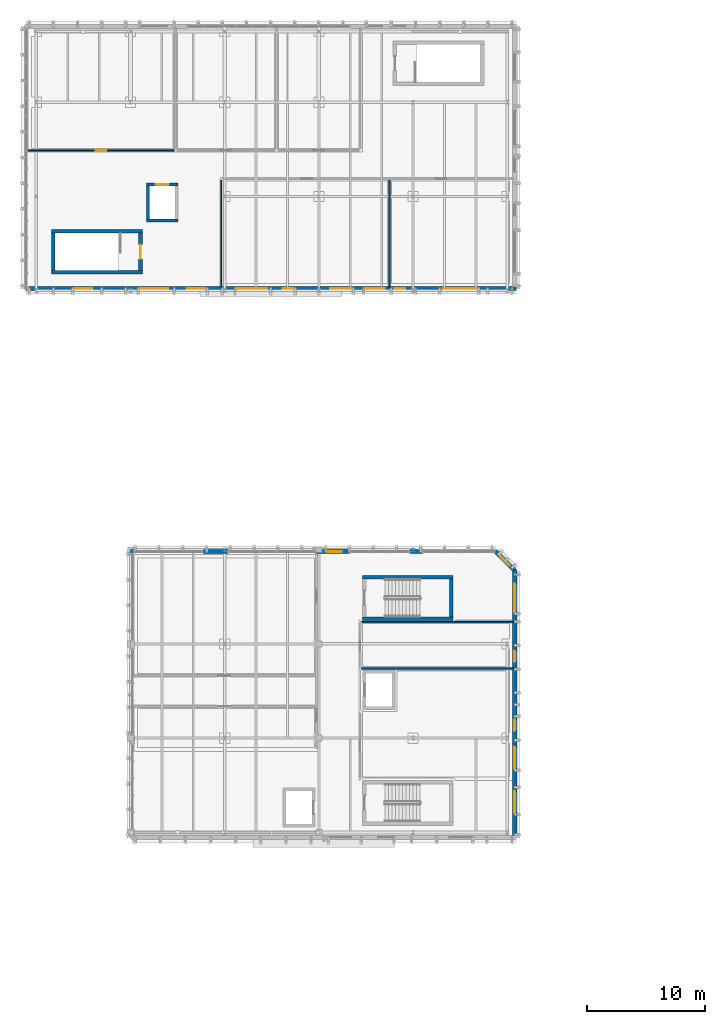
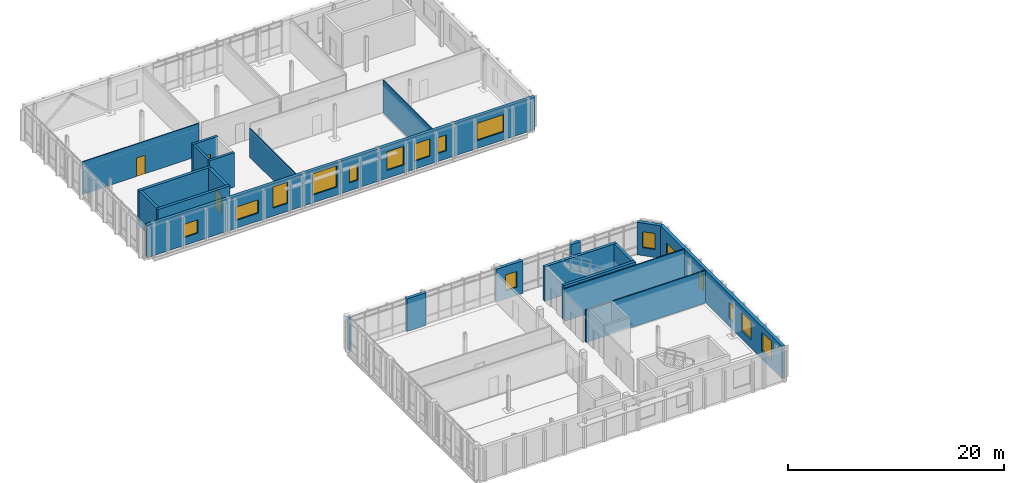
# One storey, part 27 of 40: 22 walls, 16 windows, 3 doors, 19 openings.
"""IFC4 building model written with IfcOpenShell, lengths in metres."""

from ifc_helpers import new_model, si_unit, direction, frame, frame_2d, origin, place, context, subcontext, project, spatial, rectangle, extrude, material, layer, layer_set, type_object, element, fill, save


model = new_model("IFC4")

# Units and contexts
model_context = context("Model", 3, precision=1e-05, world=origin(), true_north=direction((0.0, 1.0)))
body_context = subcontext(model_context, "Body", "Model", "MODEL_VIEW")
ifc_project = project(units=[si_unit("LENGTHUNIT", "METRE"), si_unit("AREAUNIT", "SQUARE_METRE"), si_unit("VOLUMEUNIT", "CUBIC_METRE"), si_unit("PLANEANGLEUNIT", "RADIAN"), si_unit("MASSUNIT", "GRAM", prefix="KILO")], contexts=[model_context])

# Site, building, storey
site_placement = place(None, origin())
site = spatial("IfcSite", under=ifc_project, at=site_placement, CompositionType="ELEMENT")
building_placement = place(site_placement, origin())
building = spatial("IfcBuilding", under=site, at=building_placement, Name="Cymarion Research Institute", CompositionType="ELEMENT")
storey_placement = place(building_placement, frame((0.0, 0.0, 26.699951171875)))
storey = spatial("IfcBuildingStorey", under=building, at=storey_placement, Name="L06", CompositionType="ELEMENT", Elevation=26.699951171875)

# Wall, openings, windows
ifc_material_1 = material(Name="Precast concrete C40/50", Category="concrete")
ifc_layer_1 = layer(ifc_material_1, 0.340087890625)
ifc_layer_set_1 = layer_set([ifc_layer_1], Name="Precast concrete C40/50")
wall_type_1 = type_object("IfcWallType", Name="EXTERIOR WALL EW-PC340 340MM", PredefinedType="SOLIDWALL", material=ifc_layer_set_1)
wall_1_placement = place(storey_placement, frame((47.22998046875, 47.221923828125, 0.0), z_axis=(0.0, 0.0, 1.0), x_axis=(0.0, 1.0, 0.0)))
wall_1 = element("IfcWall", 1, at=wall_1_placement, inside=storey, type_object=wall_type_1, Name="L06 V4 exterior wall EW-PC340 #261", PredefinedType="SOLIDWALL", context=body_context, shape_type="SweptSolid", body=[
    extrude(rectangle(XDim=22.578125, YDim=0.340087890625, at=frame_2d((11.2890625, 0.0))), origin(), (0.0, 0.0, 1.0), 3.679931640625),
])
opening_1_placement = place(wall_1_placement, frame((1.947998046875, 0.0, 0.89990234375)))
opening_1 = element("IfcOpeningElement", 2, at=opening_1_placement, cuts=wall_1, Name="Opening W10", PredefinedType="OPENING", context=body_context, shape_type="SweptSolid", body=[
    extrude(rectangle(XDim=1.800048828125, YDim=2.10009765625, at=frame_2d((0.89990234375, 1.050048828125))), frame((0.0, 0.179931640625, 0.0), z_axis=(0.0, -1.0, 0.0), x_axis=(1.0, 0.0, 0.0)), (0.0, 0.0, 1.0), 0.360107421875),
])
opening_2_placement = place(wall_1_placement, frame((5.7080078125, 0.0, 0.89990234375)))
opening_2 = element("IfcOpeningElement", 3, at=opening_2_placement, cuts=wall_1, Name="Opening W10", PredefinedType="OPENING", context=body_context, shape_type="SweptSolid", body=[
    extrude(rectangle(XDim=1.800048828125, YDim=2.10009765625, at=frame_2d((0.89990234375, 1.050048828125))), frame((0.0, 0.179931640625, 0.0), z_axis=(0.0, -1.0, 0.0), x_axis=(1.0, 0.0, 0.0)), (0.0, 0.0, 1.0), 0.360107421875),
])
opening_3_placement = place(wall_1_placement, frame((8.923095703125, 0.0, 0.89990234375)))
opening_3 = element("IfcOpeningElement", 4, at=opening_3_placement, cuts=wall_1, Name="Opening W24", PredefinedType="OPENING", context=body_context, shape_type="SweptSolid", body=[
    extrude(rectangle(XDim=0.89990234375, YDim=1.800048828125, at=frame_2d((0.449951171875, 0.89990234375))), frame((0.0, 0.179931640625, 0.0), z_axis=(0.0, -1.0, 0.0), x_axis=(1.0, 0.0, 0.0)), (0.0, 0.0, 1.0), 0.360107421875),
])
opening_4_placement = place(wall_1_placement, frame((14.758056640625, 0.0, 0.89990234375)))
opening_4 = element("IfcOpeningElement", 5, at=opening_4_placement, cuts=wall_1, Name="Opening W24", PredefinedType="OPENING", context=body_context, shape_type="SweptSolid", body=[
    extrude(rectangle(XDim=0.89990234375, YDim=1.800048828125, at=frame_2d((0.449951171875, 0.89990234375))), frame((0.0, 0.179931640625, 0.0), z_axis=(0.0, -1.0, 0.0), x_axis=(1.0, 0.0, 0.0)), (0.0, 0.0, 1.0), 0.360107421875),
])
opening_5_placement = place(wall_1_placement, frame((18.98291015625, 0.0, 0.89990234375)))
opening_5 = element("IfcOpeningElement", 6, at=opening_5_placement, cuts=wall_1, Name="Opening W18", PredefinedType="OPENING", context=body_context, shape_type="SweptSolid", body=[
    extrude(rectangle(XDim=2.39990234375, YDim=1.5, at=frame_2d((1.199951171875, 0.75))), frame((0.0, 0.179931640625, 0.0), z_axis=(0.0, -1.0, 0.0), x_axis=(1.0, 0.0, 0.0)), (0.0, 0.0, 1.0), 0.360107421875),
])
ifc_material_2 = material(Name="Thermally broken aluminium window with Low-E glazing", Category="aluminium")
window_type_1 = type_object("IfcWindowType", Name="THERMALLY BROKEN ALUMINIUM WINDOW W10 1800X2100", PartitioningType="DOUBLE_PANEL_VERTICAL", PredefinedType="WINDOW", material=ifc_material_2)
window_1_placement = place(opening_1_placement, origin())
window_1 = element("IfcWindow", 7, at=window_1_placement, inside=storey, type_object=window_type_1, Name="L06 V4 facade window W10 #478", OverallHeight=2.10009765625, OverallWidth=1.800048828125, PartitioningType="SINGLE_PANEL", PredefinedType="WINDOW", context=body_context, shape_type="SweptSolid", body=[
    extrude(rectangle(XDim=1.800048828125, YDim=2.10009765625, at=frame_2d((0.89990234375, 1.050048828125))), frame((0.0, 0.030029296875, 0.0), z_axis=(0.0, -1.0, 0.0), x_axis=(1.0, 0.0, 0.0)), (0.0, 0.0, 1.0), 0.06005859375),
])
fill(opening_1, window_1)
window_2_placement = place(opening_2_placement, origin())
window_2 = element("IfcWindow", 8, at=window_2_placement, inside=storey, type_object=window_type_1, Name="L06 V4 facade window W10 #479", OverallHeight=2.10009765625, OverallWidth=1.800048828125, PartitioningType="SINGLE_PANEL", PredefinedType="WINDOW", context=body_context, shape_type="SweptSolid", body=[
    extrude(rectangle(XDim=1.800048828125, YDim=2.10009765625, at=frame_2d((0.89990234375, 1.050048828125))), frame((0.0, 0.030029296875, 0.0), z_axis=(0.0, -1.0, 0.0), x_axis=(1.0, 0.0, 0.0)), (0.0, 0.0, 1.0), 0.06005859375),
])
fill(opening_2, window_2)
window_type_2 = type_object("IfcWindowType", Name="THERMALLY BROKEN ALUMINIUM WINDOW W18 2400X1500", PartitioningType="TRIPLE_PANEL_HORIZONTAL", PredefinedType="WINDOW", material=ifc_material_2)
window_3_placement = place(opening_5_placement, origin())
window_3 = element("IfcWindow", 9, at=window_3_placement, inside=storey, type_object=window_type_2, Name="L06 V4 facade window W18 #482", OverallHeight=1.5, OverallWidth=2.39990234375, PartitioningType="SINGLE_PANEL", PredefinedType="WINDOW", context=body_context, shape_type="SweptSolid", body=[
    extrude(rectangle(XDim=2.39990234375, YDim=1.5, at=frame_2d((1.199951171875, 0.75))), frame((0.0, 0.030029296875, 0.0), z_axis=(0.0, -1.0, 0.0), x_axis=(1.0, 0.0, 0.0)), (0.0, 0.0, 1.0), 0.06005859375),
])
fill(opening_5, window_3)
window_type_3 = type_object("IfcWindowType", Name="THERMALLY BROKEN ALUMINIUM WINDOW W24 900X1800", PartitioningType="SINGLE_PANEL", PredefinedType="WINDOW", material=ifc_material_2)
window_4_placement = place(opening_3_placement, origin())
window_4 = element("IfcWindow", 10, at=window_4_placement, inside=storey, type_object=window_type_3, Name="L06 V4 facade window W24 #480", OverallHeight=1.800048828125, OverallWidth=0.89990234375, PartitioningType="SINGLE_PANEL", PredefinedType="WINDOW", context=body_context, shape_type="SweptSolid", body=[
    extrude(rectangle(XDim=0.89990234375, YDim=1.800048828125, at=frame_2d((0.449951171875, 0.89990234375))), frame((0.0, 0.030029296875, 0.0), z_axis=(0.0, -1.0, 0.0), x_axis=(1.0, 0.0, 0.0)), (0.0, 0.0, 1.0), 0.06005859375),
])
fill(opening_3, window_4)
window_5_placement = place(opening_4_placement, origin())
window_5 = element("IfcWindow", 11, at=window_5_placement, inside=storey, type_object=window_type_3, Name="L06 V4 facade window W24 #481", OverallHeight=1.800048828125, OverallWidth=0.89990234375, PartitioningType="SINGLE_PANEL", PredefinedType="WINDOW", context=body_context, shape_type="SweptSolid", body=[
    extrude(rectangle(XDim=0.89990234375, YDim=1.800048828125, at=frame_2d((0.449951171875, 0.89990234375))), frame((0.0, 0.030029296875, 0.0), z_axis=(0.0, -1.0, 0.0), x_axis=(1.0, 0.0, 0.0)), (0.0, 0.0, 1.0), 0.06005859375),
])
fill(opening_4, window_5)

# Wall, opening, window
wall_2_placement = place(storey_placement, frame((47.19287109375, 69.7666015625, 0.0), z_axis=(0.0, 0.0, 1.0), x_axis=(-0.707053271271, 0.707160287053, 0.0)))
wall_2 = element("IfcWall", 12, at=wall_2_placement, inside=storey, type_object=wall_type_1, Name="L06 V4 exterior wall EW-PC340 #262", PredefinedType="SOLIDWALL", context=body_context, shape_type="SweptSolid", body=[
    extrude(rectangle(XDim=2.28125, YDim=0.340087890625, at=frame_2d((1.140625, 0.0))), origin(), (0.0, 0.0, 1.0), 3.679931640625),
])
opening_6_placement = place(wall_2_placement, frame((0.541015625, 0.0, 0.89990234375)))
opening_6 = element("IfcOpeningElement", 13, at=opening_6_placement, cuts=wall_2, Name="Opening W01", PredefinedType="OPENING", context=body_context, shape_type="SweptSolid", body=[
    extrude(rectangle(XDim=1.199951171875, YDim=1.800048828125, at=frame_2d((0.60009765625, 0.89990234375))), frame((0.0, 0.179931640625, 0.0), z_axis=(0.0, -1.0, 0.0), x_axis=(1.0, 0.0, 0.0)), (0.0, 0.0, 1.0), 0.360107421875),
])
window_type_4 = type_object("IfcWindowType", Name="THERMALLY BROKEN ALUMINIUM WINDOW W01 1200X1800", PartitioningType="SINGLE_PANEL", PredefinedType="WINDOW", material=ifc_material_2)
window_6_placement = place(opening_6_placement, origin())
window_6 = element("IfcWindow", 14, at=window_6_placement, inside=storey, type_object=window_type_4, Name="L06 V4 facade window W01 #483", OverallHeight=1.800048828125, OverallWidth=1.199951171875, PartitioningType="SINGLE_PANEL", PredefinedType="WINDOW", context=body_context, shape_type="SweptSolid", body=[
    extrude(rectangle(XDim=1.199951171875, YDim=1.800048828125, at=frame_2d((0.60009765625, 0.89990234375))), frame((0.0, 0.030029296875, 0.0), z_axis=(0.0, -1.0, 0.0), x_axis=(1.0, 0.0, 0.0)), (0.0, 0.0, 1.0), 0.06005859375),
])
fill(opening_6, window_6)

# Wall
wall_3_placement = place(storey_placement, frame((39.381591796875, 71.330078125, 0.0), z_axis=(0.0, 0.0, 1.0), x_axis=(-1.0, 0.0, 0.0)))
element("IfcWall", 15, at=wall_3_placement, inside=storey, type_object=wall_type_1, Name="L06 V4 facade pier wall EW-PC340 #263", PredefinedType="SOLIDWALL", context=body_context, shape_type="SweptSolid", body=[
    extrude(rectangle(XDim=1.04150390625, YDim=0.340087890625, at=frame_2d((0.520751953125, 0.0))), origin(), (0.0, 0.0, 1.0), 3.679931640625),
])

# Wall, opening, window
wall_4_placement = place(storey_placement, frame((33.186279296875, 71.330078125, 0.0), z_axis=(0.0, 0.0, 1.0), x_axis=(-1.0, 0.0, 0.0)))
wall_4 = element("IfcWall", 16, at=wall_4_placement, inside=storey, type_object=wall_type_1, Name="L06 V4 facade pier wall EW-PC340 #264", PredefinedType="SOLIDWALL", context=body_context, shape_type="SweptSolid", body=[
    extrude(rectangle(XDim=2.84619140625, YDim=0.340087890625, at=frame_2d((1.423095703125, 0.0))), origin(), (0.0, 0.0, 1.0), 3.679931640625),
])
opening_7_placement = place(wall_4_placement, frame((0.633056640625, 0.0, 0.89990234375)))
opening_7 = element("IfcOpeningElement", 17, at=opening_7_placement, cuts=wall_4, Name="Opening W01", PredefinedType="OPENING", context=body_context, shape_type="SweptSolid", body=[
    extrude(rectangle(XDim=1.199951171875, YDim=1.800048828125, at=frame_2d((0.60009765625, 0.89990234375))), frame((0.0, 0.179931640625, 0.0), z_axis=(0.0, -1.0, 0.0), x_axis=(1.0, 0.0, 0.0)), (0.0, 0.0, 1.0), 0.360107421875),
])
window_7_placement = place(opening_7_placement, origin())
window_7 = element("IfcWindow", 18, at=window_7_placement, inside=storey, type_object=window_type_4, Name="L06 V4 facade window W01 #484", OverallHeight=1.800048828125, OverallWidth=1.199951171875, PartitioningType="SINGLE_PANEL", PredefinedType="WINDOW", context=body_context, shape_type="SweptSolid", body=[
    extrude(rectangle(XDim=1.199951171875, YDim=1.800048828125, at=frame_2d((0.60009765625, 0.89990234375))), frame((0.0, 0.030029296875, 0.0), z_axis=(0.0, -1.0, 0.0), x_axis=(1.0, 0.0, 0.0)), (0.0, 0.0, 1.0), 0.06005859375),
])
fill(opening_7, window_7)

# Walls
wall_5_placement = place(storey_placement, frame((22.860107421875, 71.330078125, 0.0), z_axis=(0.0, 0.0, 1.0), x_axis=(-1.0, 0.0, 0.0)))
element("IfcWall", 19, at=wall_5_placement, inside=storey, type_object=wall_type_1, Name="L06 V4 facade pier wall EW-PC340 #265", PredefinedType="SOLIDWALL", context=body_context, shape_type="SweptSolid", body=[
    extrude(rectangle(XDim=2.064697265625, YDim=0.340087890625, at=frame_2d((1.0322265625, 0.0))), origin(), (0.0, 0.0, 1.0), 3.679931640625),
])
wall_6_placement = place(storey_placement, frame((14.860107421875, 71.330078125, 0.0), z_axis=(0.0, 0.0, 1.0), x_axis=(-1.0, 0.0, 0.0)))
element("IfcWall", 20, at=wall_6_placement, inside=storey, type_object=wall_type_1, Name="L06 V4 facade pier wall EW-PC340 #266", PredefinedType="SOLIDWALL", context=body_context, shape_type="SweptSolid", body=[
    extrude(rectangle(XDim=0.260009765625, YDim=0.340087890625, at=frame_2d((0.1298828125, 0.0))), origin(), (0.0, 0.0, 1.0), 3.679931640625),
])

# Wall, openings, windows
wall_7_placement = place(storey_placement, frame((5.922119140625, 93.669921875, 0.0), z_axis=(0.0, 0.0, 1.0), x_axis=(1.0, 0.0, 0.0)))
wall_7 = element("IfcWall", 21, at=wall_7_placement, inside=storey, type_object=wall_type_1, Name="L06 V5 exterior wall EW-PC340 #270", PredefinedType="SOLIDWALL", context=body_context, shape_type="SweptSolid", body=[
    extrude(rectangle(XDim=41.477783203125, YDim=0.340087890625, at=frame_2d((20.73876953125, 0.0))), origin(), (0.0, 0.0, 1.0), 3.66015625),
])
opening_8_placement = place(wall_7_placement, frame((3.927978515625, 0.0, 0.89990234375)))
opening_8 = element("IfcOpeningElement", 22, at=opening_8_placement, cuts=wall_7, Name="Opening W16", PredefinedType="OPENING", context=body_context, shape_type="SweptSolid", body=[
    extrude(rectangle(XDim=1.5, YDim=1.5, at=frame_2d((0.75, 0.75))), frame((0.0, 0.179931640625, 0.0), z_axis=(0.0, -1.0, 0.0), x_axis=(1.0, 0.0, 0.0)), (0.0, 0.0, 1.0), 0.360107421875),
])
opening_9_placement = place(wall_7_placement, frame((9.498046875, 0.0, 0.89990234375)))
opening_9 = element("IfcOpeningElement", 23, at=opening_9_placement, cuts=wall_7, Name="Opening W18", PredefinedType="OPENING", context=body_context, shape_type="SweptSolid", body=[
    extrude(rectangle(XDim=2.39990234375, YDim=1.5, at=frame_2d((1.199951171875, 0.75))), frame((0.0, 0.179931640625, 0.0), z_axis=(0.0, -1.0, 0.0), x_axis=(1.0, 0.0, 0.0)), (0.0, 0.0, 1.0), 0.360107421875),
])
opening_10_placement = place(wall_7_placement, frame((13.43798828125, 0.0, 0.89990234375)))
opening_10 = element("IfcOpeningElement", 24, at=opening_10_placement, cuts=wall_7, Name="Opening W20", PredefinedType="OPENING", context=body_context, shape_type="SweptSolid", body=[
    extrude(rectangle(XDim=1.60009765625, YDim=2.39990234375, at=frame_2d((0.800048828125, 1.199951171875))), frame((0.0, 0.179931640625, 0.0), z_axis=(0.0, -1.0, 0.0), x_axis=(1.0, 0.0, 0.0)), (0.0, 0.0, 1.0), 0.360107421875),
])
opening_11_placement = place(wall_7_placement, frame((17.697998046875, 0.0, 0.89990234375)))
opening_11 = element("IfcOpeningElement", 25, at=opening_11_placement, cuts=wall_7, Name="Opening W22", PredefinedType="OPENING", context=body_context, shape_type="SweptSolid", body=[
    extrude(rectangle(XDim=2.60009765625, YDim=2.39990234375, at=frame_2d((1.300048828125, 1.199951171875))), frame((0.0, 0.179931640625, 0.0), z_axis=(0.0, -1.0, 0.0), x_axis=(1.0, 0.0, 0.0)), (0.0, 0.0, 1.0), 0.360107421875),
])
opening_12_placement = place(wall_7_placement, frame((21.6279296875, 0.0, 0.89990234375)))
opening_12 = element("IfcOpeningElement", 26, at=opening_12_placement, cuts=wall_7, Name="Opening W24", PredefinedType="OPENING", context=body_context, shape_type="SweptSolid", body=[
    extrude(rectangle(XDim=0.89990234375, YDim=1.800048828125, at=frame_2d((0.449951171875, 0.89990234375))), frame((0.0, 0.179931640625, 0.0), z_axis=(0.0, -1.0, 0.0), x_axis=(1.0, 0.0, 0.0)), (0.0, 0.0, 1.0), 0.360107421875),
])
opening_13_placement = place(wall_7_placement, frame((25.657958984375, 0.0, 0.89990234375)))
opening_13 = element("IfcOpeningElement", 27, at=opening_13_placement, cuts=wall_7, Name="Opening W10", PredefinedType="OPENING", context=body_context, shape_type="SweptSolid", body=[
    extrude(rectangle(XDim=1.800048828125, YDim=2.10009765625, at=frame_2d((0.89990234375, 1.050048828125))), frame((0.0, 0.179931640625, 0.0), z_axis=(0.0, -1.0, 0.0), x_axis=(1.0, 0.0, 0.0)), (0.0, 0.0, 1.0), 0.360107421875),
])
opening_14_placement = place(wall_7_placement, frame((28.613037109375, 0.0, 0.89990234375)))
opening_14 = element("IfcOpeningElement", 28, at=opening_14_placement, cuts=wall_7, Name="Opening W28", PredefinedType="OPENING", context=body_context, shape_type="SweptSolid", body=[
    extrude(rectangle(XDim=1.64990234375, YDim=1.949951171875, at=frame_2d((0.824951171875, 0.97509765625))), frame((0.0, 0.179931640625, 0.0), z_axis=(0.0, -1.0, 0.0), x_axis=(1.0, 0.0, 0.0)), (0.0, 0.0, 1.0), 0.360107421875),
])
opening_15_placement = place(wall_7_placement, frame((31.10791015625, 0.0, 0.89990234375)))
opening_15 = element("IfcOpeningElement", 29, at=opening_15_placement, cuts=wall_7, Name="Opening W24", PredefinedType="OPENING", context=body_context, shape_type="SweptSolid", body=[
    extrude(rectangle(XDim=0.89990234375, YDim=1.800048828125, at=frame_2d((0.449951171875, 0.89990234375))), frame((0.0, 0.179931640625, 0.0), z_axis=(0.0, -1.0, 0.0), x_axis=(1.0, 0.0, 0.0)), (0.0, 0.0, 1.0), 0.360107421875),
])
opening_16_placement = place(wall_7_placement, frame((35.2529296875, 0.0, 0.89990234375)))
opening_16 = element("IfcOpeningElement", 30, at=opening_16_placement, cuts=wall_7, Name="Opening W32", PredefinedType="OPENING", context=body_context, shape_type="SweptSolid", body=[
    extrude(rectangle(XDim=2.85009765625, YDim=1.949951171875, at=frame_2d((1.425048828125, 0.97509765625))), frame((0.0, 0.179931640625, 0.0), z_axis=(0.0, -1.0, 0.0), x_axis=(1.0, 0.0, 0.0)), (0.0, 0.0, 1.0), 0.360107421875),
])
window_8_placement = place(opening_13_placement, origin())
window_8 = element("IfcWindow", 31, at=window_8_placement, inside=storey, type_object=window_type_1, Name="L06 V5 facade window W10 #490", OverallHeight=2.10009765625, OverallWidth=1.800048828125, PartitioningType="SINGLE_PANEL", PredefinedType="WINDOW", context=body_context, shape_type="SweptSolid", body=[
    extrude(rectangle(XDim=1.800048828125, YDim=2.10009765625, at=frame_2d((0.89990234375, 1.050048828125))), frame((0.0, 0.030029296875, 0.0), z_axis=(0.0, -1.0, 0.0), x_axis=(1.0, 0.0, 0.0)), (0.0, 0.0, 1.0), 0.06005859375),
])
fill(opening_13, window_8)
window_type_5 = type_object("IfcWindowType", Name="THERMALLY BROKEN ALUMINIUM WINDOW W16 1500X1500", PartitioningType="DOUBLE_PANEL_HORIZONTAL", PredefinedType="WINDOW", material=ifc_material_2)
window_9_placement = place(opening_8_placement, origin())
window_9 = element("IfcWindow", 32, at=window_9_placement, inside=storey, type_object=window_type_5, Name="L06 V5 facade window W16 #485", OverallHeight=1.5, OverallWidth=1.5, PartitioningType="SINGLE_PANEL", PredefinedType="WINDOW", context=body_context, shape_type="SweptSolid", body=[
    extrude(rectangle(XDim=1.5, YDim=1.5, at=frame_2d((0.75, 0.75))), frame((0.0, 0.030029296875, 0.0), z_axis=(0.0, -1.0, 0.0), x_axis=(1.0, 0.0, 0.0)), (0.0, 0.0, 1.0), 0.06005859375),
])
fill(opening_8, window_9)
window_10_placement = place(opening_9_placement, origin())
window_10 = element("IfcWindow", 33, at=window_10_placement, inside=storey, type_object=window_type_2, Name="L06 V5 facade window W18 #486", OverallHeight=1.5, OverallWidth=2.39990234375, PartitioningType="SINGLE_PANEL", PredefinedType="WINDOW", context=body_context, shape_type="SweptSolid", body=[
    extrude(rectangle(XDim=2.39990234375, YDim=1.5, at=frame_2d((1.199951171875, 0.75))), frame((0.0, 0.030029296875, 0.0), z_axis=(0.0, -1.0, 0.0), x_axis=(1.0, 0.0, 0.0)), (0.0, 0.0, 1.0), 0.06005859375),
])
fill(opening_9, window_10)
window_type_6 = type_object("IfcWindowType", Name="THERMALLY BROKEN ALUMINIUM WINDOW W20 1600X2400", PartitioningType="DOUBLE_PANEL_VERTICAL", PredefinedType="WINDOW", material=ifc_material_2)
window_11_placement = place(opening_10_placement, origin())
window_11 = element("IfcWindow", 34, at=window_11_placement, inside=storey, type_object=window_type_6, Name="L06 V5 facade window W20 #487", OverallHeight=2.39990234375, OverallWidth=1.60009765625, PartitioningType="SINGLE_PANEL", PredefinedType="WINDOW", context=body_context, shape_type="SweptSolid", body=[
    extrude(rectangle(XDim=1.60009765625, YDim=2.39990234375, at=frame_2d((0.800048828125, 1.199951171875))), frame((0.0, 0.030029296875, 0.0), z_axis=(0.0, -1.0, 0.0), x_axis=(1.0, 0.0, 0.0)), (0.0, 0.0, 1.0), 0.06005859375),
])
fill(opening_10, window_11)
window_type_7 = type_object("IfcWindowType", Name="THERMALLY BROKEN ALUMINIUM WINDOW W22 2600X2400", PartitioningType="TRIPLE_PANEL_VERTICAL", PredefinedType="WINDOW", material=ifc_material_2)
window_12_placement = place(opening_11_placement, origin())
window_12 = element("IfcWindow", 35, at=window_12_placement, inside=storey, type_object=window_type_7, Name="L06 V5 facade window W22 #488", OverallHeight=2.39990234375, OverallWidth=2.60009765625, PartitioningType="SINGLE_PANEL", PredefinedType="WINDOW", context=body_context, shape_type="SweptSolid", body=[
    extrude(rectangle(XDim=2.60009765625, YDim=2.39990234375, at=frame_2d((1.300048828125, 1.199951171875))), frame((0.0, 0.030029296875, 0.0), z_axis=(0.0, -1.0, 0.0), x_axis=(1.0, 0.0, 0.0)), (0.0, 0.0, 1.0), 0.06005859375),
])
fill(opening_11, window_12)
window_13_placement = place(opening_12_placement, origin())
window_13 = element("IfcWindow", 36, at=window_13_placement, inside=storey, type_object=window_type_3, Name="L06 V5 facade window W24 #489", OverallHeight=1.800048828125, OverallWidth=0.89990234375, PartitioningType="SINGLE_PANEL", PredefinedType="WINDOW", context=body_context, shape_type="SweptSolid", body=[
    extrude(rectangle(XDim=0.89990234375, YDim=1.800048828125, at=frame_2d((0.449951171875, 0.89990234375))), frame((0.0, 0.030029296875, 0.0), z_axis=(0.0, -1.0, 0.0), x_axis=(1.0, 0.0, 0.0)), (0.0, 0.0, 1.0), 0.06005859375),
])
fill(opening_12, window_13)
window_14_placement = place(opening_15_placement, origin())
window_14 = element("IfcWindow", 37, at=window_14_placement, inside=storey, type_object=window_type_3, Name="L06 V5 facade window W24 #492", OverallHeight=1.800048828125, OverallWidth=0.89990234375, PartitioningType="SINGLE_PANEL", PredefinedType="WINDOW", context=body_context, shape_type="SweptSolid", body=[
    extrude(rectangle(XDim=0.89990234375, YDim=1.800048828125, at=frame_2d((0.449951171875, 0.89990234375))), frame((0.0, 0.030029296875, 0.0), z_axis=(0.0, -1.0, 0.0), x_axis=(1.0, 0.0, 0.0)), (0.0, 0.0, 1.0), 0.06005859375),
])
fill(opening_15, window_14)
window_type_8 = type_object("IfcWindowType", Name="THERMALLY BROKEN ALUMINIUM WINDOW W28 1650X1950", PartitioningType="DOUBLE_PANEL_VERTICAL", PredefinedType="WINDOW", material=ifc_material_2)
window_15_placement = place(opening_14_placement, origin())
window_15 = element("IfcWindow", 38, at=window_15_placement, inside=storey, type_object=window_type_8, Name="L06 V5 facade window W28 #491", OverallHeight=1.949951171875, OverallWidth=1.64990234375, PartitioningType="SINGLE_PANEL", PredefinedType="WINDOW", context=body_context, shape_type="SweptSolid", body=[
    extrude(rectangle(XDim=1.64990234375, YDim=1.949951171875, at=frame_2d((0.824951171875, 0.97509765625))), frame((0.0, 0.030029296875, 0.0), z_axis=(0.0, -1.0, 0.0), x_axis=(1.0, 0.0, 0.0)), (0.0, 0.0, 1.0), 0.06005859375),
])
fill(opening_14, window_15)
window_type_9 = type_object("IfcWindowType", Name="THERMALLY BROKEN ALUMINIUM WINDOW W32 2850X1950", PartitioningType="TRIPLE_PANEL_VERTICAL", PredefinedType="WINDOW", material=ifc_material_2)
window_16_placement = place(opening_16_placement, origin())
window_16 = element("IfcWindow", 39, at=window_16_placement, inside=storey, type_object=window_type_9, Name="L06 V5 facade window W32 #493", OverallHeight=1.949951171875, OverallWidth=2.85009765625, PartitioningType="SINGLE_PANEL", PredefinedType="WINDOW", context=body_context, shape_type="SweptSolid", body=[
    extrude(rectangle(XDim=2.85009765625, YDim=1.949951171875, at=frame_2d((1.425048828125, 0.97509765625))), frame((0.0, 0.030029296875, 0.0), z_axis=(0.0, -1.0, 0.0), x_axis=(1.0, 0.0, 0.0)), (0.0, 0.0, 1.0), 0.06005859375),
])
fill(opening_16, window_16)

# Wall
ifc_material_3 = material(Name="Framed acoustic glass laboratory screen", Category="glass")
ifc_layer_2 = layer(ifc_material_3, 0.10009765625)
ifc_layer_set_2 = layer_set([ifc_layer_2], Name="Framed acoustic glass laboratory screen")
wall_type_2 = type_object("IfcWallType", Name="INTERIOR PARTITION IW-GL100 100MM", PredefinedType="PARTITIONING", material=ifc_layer_set_2)
wall_8_placement = place(storey_placement, frame((22.320068359375, 93.784912109375, 0.0), z_axis=(0.0, 0.0, 1.0), x_axis=(0.0, 1.0, 0.0)))
element("IfcWall", 40, at=wall_8_placement, inside=storey, type_object=wall_type_2, Name="L06 V5 interior partition IW-GL100 #366", PredefinedType="PARTITIONING", context=body_context, shape_type="SweptSolid", body=[
    extrude(rectangle(XDim=9.0751953125, YDim=0.10009765625, at=frame_2d((4.53759765625, 0.0))), origin(), (0.0, 0.0, 1.0), 3.260009765625),
])

# Wall, opening, door
wall_9_placement = place(storey_placement, frame((5.885009765625, 105.39990234375, 0.0), z_axis=(0.0, 0.0, 1.0), x_axis=(1.0, 0.0, 0.0)))
wall_9 = element("IfcWall", 41, at=wall_9_placement, inside=storey, type_object=wall_type_2, Name="L06 V5 interior partition IW-GL100 #372", PredefinedType="PARTITIONING", context=body_context, shape_type="SweptSolid", body=[
    extrude(rectangle(XDim=12.43505859375, YDim=0.10009765625, at=frame_2d((6.217529296875, 0.0))), origin(), (0.0, 0.0, 1.0), 3.679931640625),
])
opening_17_placement = place(wall_9_placement, frame((5.76708984375, 0.0, 0.0)))
opening_17 = element("IfcOpeningElement", 42, at=opening_17_placement, cuts=wall_9, Name="Opening D-L06-219", PredefinedType="OPENING", context=body_context, shape_type="SweptSolid", body=[
    extrude(rectangle(XDim=0.89990234375, YDim=2.10009765625, at=frame_2d((0.449951171875, 1.050048828125))), frame((0.0, 0.06005859375, 0.0), z_axis=(0.0, -1.0, 0.0), x_axis=(1.0, 0.0, 0.0)), (0.0, 0.0, 1.0), 0.1201171875),
])
ifc_material_4 = material(Name="Flush acoustic timber/steel door assembly", Category="steel")
door_type_1 = type_object("IfcDoorType", Name="RESEARCH WRITE-UP OFFICE DOOR DT-OF090 900X2100", OperationType="NOTDEFINED", PredefinedType="DOOR", material=ifc_material_4)
door_1_placement = place(opening_17_placement, origin())
door_1 = element("IfcDoor", 43, at=door_1_placement, inside=storey, type_object=door_type_1, Name="L06 Faculty Office W door D-L06-219", OperationType="SINGLE_SWING_RIGHT", OverallHeight=2.10009765625, OverallWidth=0.89990234375, PredefinedType="DOOR", context=body_context, shape_type="SweptSolid", body=[
    extrude(rectangle(XDim=0.89990234375, YDim=2.10009765625, at=frame_2d((0.449951171875, 1.050048828125))), frame((0.0, 0.02490234375, 0.0), z_axis=(0.0, -1.0, 0.0), x_axis=(1.0, 0.0, 0.0)), (0.0, 0.0, 1.0), 0.050048828125),
])
fill(opening_17, door_1)

# Walls
ifc_material_5 = material(Name="Service riser shaft wall", Category="gypsum")
ifc_layer_3 = layer(ifc_material_5, 0.1201171875)
ifc_layer_set_3 = layer_set([ifc_layer_3], Name="Service riser shaft wall")
wall_type_3 = type_object("IfcWallType", Name="INTERIOR PARTITION IW-SH120 120MM", PredefinedType="PARTITIONING", material=ifc_layer_set_3)
for number, where, z_axis, x_axis, name in (
    (44, (34.25, 61.39990234375, 0.0), (0.0, 0.0, 1.0), (1.0, 0.0, 0.0), "L06 V4 interior partition IW-SH120 #364"),
    (45, (34.25, 65.35009765625, 0.0), (0.0, 0.0, 1.0), (1.0, 0.0, 0.0), "L06 V4 interior partition IW-SH120 #365"),
):
    element("IfcWall", number, at=place(storey_placement, frame(where, z_axis=z_axis, x_axis=x_axis)), inside=storey, type_object=wall_type_3, Name=name, PredefinedType="PARTITIONING", context=body_context, shape_type="SweptSolid", body=[
        extrude(rectangle(XDim=12.864990234375, YDim=0.1201171875, at=frame_2d((6.4326171875, 0.0))), origin(), (0.0, 0.0, 1.0), 3.679931640625),
    ])
wall_10_placement = place(storey_placement, frame((36.60009765625, 93.784912109375, 0.0), z_axis=(0.0, 0.0, 1.0), x_axis=(0.0, 1.0, 0.0)))
element("IfcWall", 46, at=wall_10_placement, inside=storey, type_object=wall_type_3, Name="L06 V5 interior partition IW-SH120 #367", PredefinedType="PARTITIONING", context=body_context, shape_type="SweptSolid", body=[
    extrude(rectangle(XDim=9.094970703125, YDim=0.1201171875, at=frame_2d((4.54736328125, 0.0))), origin(), (0.0, 0.0, 1.0), 3.679931640625),
])
ifc_material_6 = material(Name="Concrete C40/50", Category="concrete")
ifc_layer_4 = layer(ifc_material_6, 0.25)
ifc_layer_set_4 = layer_set([ifc_layer_4], Name="Concrete C40/50")
wall_type_4 = type_object("IfcWallType", Name="REINFORCED CONCRETE CORE WALL CW-SH250 250MM", PredefinedType="SHEAR", material=ifc_layer_set_4)
wall_11_placement = place(storey_placement, frame((15.949951171875, 99.47509765625, 0.0), z_axis=(0.0, 0.0, 1.0), x_axis=(1.0, 0.0, 0.0)))
element("IfcWall", 47, at=wall_11_placement, inside=storey, type_object=wall_type_4, Name="L06 LSH-LP5-L06 south core wall", PredefinedType="SHEAR", context=body_context, shape_type="SweptSolid", body=[
    extrude(rectangle(XDim=2.699951171875, YDim=0.25, at=frame_2d((1.35009765625, 0.0))), origin(), (0.0, 0.0, 1.0), 3.900146484375),
])

# Wall, opening, door
wall_12_placement = place(storey_placement, frame((18.64990234375, 102.52490234375, 0.0), z_axis=(0.0, 0.0, 1.0), x_axis=(-1.0, 0.0, 0.0)))
wall_12 = element("IfcWall", 48, at=wall_12_placement, inside=storey, type_object=wall_type_4, Name="L06 LSH-LP5-L06 north core wall", PredefinedType="SHEAR", context=body_context, shape_type="SweptSolid", body=[
    extrude(rectangle(XDim=2.699951171875, YDim=0.25, at=frame_2d((1.35009765625, 0.0))), origin(), (0.0, 0.0, 1.0), 3.900146484375),
])
opening_18_placement = place(wall_12_placement, frame((0.800048828125, 0.0, 0.0)))
opening_18 = element("IfcOpeningElement", 49, at=opening_18_placement, cuts=wall_12, Name="Opening LD-LP5-L06", PredefinedType="OPENING", context=body_context, shape_type="SweptSolid", body=[
    extrude(rectangle(XDim=1.10009765625, YDim=2.14990234375, at=frame_2d((0.550048828125, 1.074951171875))), frame((0.0, 0.135009765625, 0.0), z_axis=(0.0, -1.0, 0.0), x_axis=(1.0, 0.0, 0.0)), (0.0, 0.0, 1.0), 0.27001953125),
])
ifc_material_7 = material(Name="Fire-rated insulated steel door assembly", Category="steel")
door_type_2 = type_object("IfcDoorType", Name="SLIDING LIFT LANDING DOOR DT-LD110 1100X2150", OperationType="DOUBLE_DOOR_SLIDING", PredefinedType="DOOR", material=ifc_material_7)
door_2_placement = place(opening_18_placement, origin())
door_2 = element("IfcDoor", 50, at=door_2_placement, inside=storey, type_object=door_type_2, Name="Lift LP5 landing door L06", OperationType="DOUBLE_DOOR_SLIDING", OverallHeight=2.14990234375, OverallWidth=1.10009765625, PredefinedType="DOOR", context=body_context, shape_type="SweptSolid", body=[
    extrude(rectangle(XDim=1.10009765625, YDim=2.14990234375, at=frame_2d((0.550048828125, 1.074951171875))), frame((0.0, 0.02490234375, 0.0), z_axis=(0.0, -1.0, 0.0), x_axis=(1.0, 0.0, 0.0)), (0.0, 0.0, 1.0), 0.050048828125),
])
fill(opening_18, door_2)

# Walls
wall_13_placement = place(storey_placement, frame((16.074951171875, 102.39990234375, 0.0), z_axis=(0.0, 0.0, 1.0), x_axis=(0.0, -1.0, 0.0)))
element("IfcWall", 51, at=wall_13_placement, inside=storey, type_object=wall_type_4, Name="L06 LSH-LP5-L06 west core wall", PredefinedType="SHEAR", context=body_context, shape_type="SweptSolid", body=[
    extrude(rectangle(XDim=2.7998046875, YDim=0.25, at=frame_2d((1.39990234375, 0.0))), origin(), (0.0, 0.0, 1.0), 3.900146484375),
])
ifc_layer_5 = layer(ifc_material_6, 0.300048828125)
ifc_layer_set_5 = layer_set([ifc_layer_5], Name="Concrete C40/50")
wall_type_5 = type_object("IfcWallType", Name="REINFORCED CONCRETE CORE WALL CW-SH300 300MM", PredefinedType="SHEAR", material=ifc_layer_set_5)
for number, where, z_axis, x_axis, name in (
    (52, (34.300048828125, 65.64990234375, 0.0), (0.0, 0.0, 1.0), (1.0, 0.0, 0.0), "L06 SHW-C8-L06 south core wall"),
    (53, (42.0, 69.14990234375, 0.0), (0.0, 0.0, 1.0), (-1.0, 0.0, 0.0), "L06 SHW-C8-L06 north core wall"),
):
    element("IfcWall", number, at=place(storey_placement, frame(where, z_axis=z_axis, x_axis=x_axis)), inside=storey, type_object=wall_type_5, Name=name, PredefinedType="SHEAR", context=body_context, shape_type="SweptSolid", body=[
        extrude(rectangle(XDim=7.699951171875, YDim=0.300048828125, at=frame_2d((3.85009765625, 0.0))), origin(), (0.0, 0.0, 1.0), 3.900146484375),
    ])
wall_14_placement = place(storey_placement, frame((41.85009765625, 65.800048828125, 0.0), z_axis=(0.0, 0.0, 1.0), x_axis=(0.0, 1.0, 0.0)))
element("IfcWall", 54, at=wall_14_placement, inside=storey, type_object=wall_type_5, Name="L06 SHW-C8-L06 east core wall", PredefinedType="SHEAR", context=body_context, shape_type="SweptSolid", body=[
    extrude(rectangle(XDim=3.199951171875, YDim=0.300048828125, at=frame_2d((1.60009765625, 0.0))), origin(), (0.0, 0.0, 1.0), 3.900146484375),
])
for number, where, z_axis, x_axis, name in (
    (55, (7.89990234375, 95.050048828125, 0.0), (0.0, 0.0, 1.0), (1.0, 0.0, 0.0), "L06 SHW-C9-L06 south core wall"),
    (56, (15.60009765625, 98.550048828125, 0.0), (0.0, 0.0, 1.0), (-1.0, 0.0, 0.0), "L06 SHW-C9-L06 north core wall"),
):
    element("IfcWall", number, at=place(storey_placement, frame(where, z_axis=z_axis, x_axis=x_axis)), inside=storey, type_object=wall_type_5, Name=name, PredefinedType="SHEAR", context=body_context, shape_type="SweptSolid", body=[
        extrude(rectangle(XDim=7.7001953125, YDim=0.300048828125, at=frame_2d((3.85009765625, 0.0))), origin(), (0.0, 0.0, 1.0), 3.900146484375),
    ])
wall_15_placement = place(storey_placement, frame((8.050048828125, 98.39990234375, 0.0), z_axis=(0.0, 0.0, 1.0), x_axis=(0.0, -1.0, 0.0)))
element("IfcWall", 57, at=wall_15_placement, inside=storey, type_object=wall_type_5, Name="L06 SHW-C9-L06 west core wall", PredefinedType="SHEAR", context=body_context, shape_type="SweptSolid", body=[
    extrude(rectangle(XDim=3.199951171875, YDim=0.300048828125, at=frame_2d((1.60009765625, 0.0))), origin(), (0.0, 0.0, 1.0), 3.900146484375),
])

# Wall, opening, door
wall_16_placement = place(storey_placement, frame((15.449951171875, 95.199951171875, 0.0), z_axis=(0.0, 0.0, 1.0), x_axis=(0.0, 1.0, 0.0)))
wall_16 = element("IfcWall", 58, at=wall_16_placement, inside=storey, type_object=wall_type_5, Name="L06 SHW-C9-L06 east core wall", PredefinedType="SHEAR", context=body_context, shape_type="SweptSolid", body=[
    extrude(rectangle(XDim=3.199951171875, YDim=0.300048828125, at=frame_2d((1.60009765625, 0.0))), origin(), (0.0, 0.0, 1.0), 3.900146484375),
])
opening_19_placement = place(wall_16_placement, frame((1.0, 0.0, 0.0)))
opening_19 = element("IfcOpeningElement", 59, at=opening_19_placement, cuts=wall_16, Name="Opening FD-L06-ST9", PredefinedType="OPENING", context=body_context, shape_type="SweptSolid", body=[
    extrude(rectangle(XDim=1.199951171875, YDim=2.14990234375, at=frame_2d((0.60009765625, 1.074951171875))), frame((0.0, 0.159912109375, 0.0), z_axis=(0.0, -1.0, 0.0), x_axis=(1.0, 0.0, 0.0)), (0.0, 0.0, 1.0), 0.320068359375),
])
door_type_3 = type_object("IfcDoorType", Name="SMOKE PROOF STAIR FIRE DOOR DT-ST120 1200X2150", OperationType="NOTDEFINED", PredefinedType="DOOR", material=ifc_material_7)
door_3_placement = place(opening_19_placement, origin())
door_3 = element("IfcDoor", 60, at=door_3_placement, inside=storey, type_object=door_type_3, Name="L06 ST9 smoke-proof stair door FD-L06-ST9", OperationType="SINGLE_SWING_RIGHT", OverallHeight=2.14990234375, OverallWidth=1.199951171875, PredefinedType="DOOR", context=body_context, shape_type="SweptSolid", body=[
    extrude(rectangle(XDim=1.199951171875, YDim=2.14990234375, at=frame_2d((0.60009765625, 1.074951171875))), frame((0.0, 0.02490234375, 0.0), z_axis=(0.0, -1.0, 0.0), x_axis=(1.0, 0.0, 0.0)), (0.0, 0.0, 1.0), 0.050048828125),
])
fill(opening_19, door_3)

save(model, "model.ifc")
